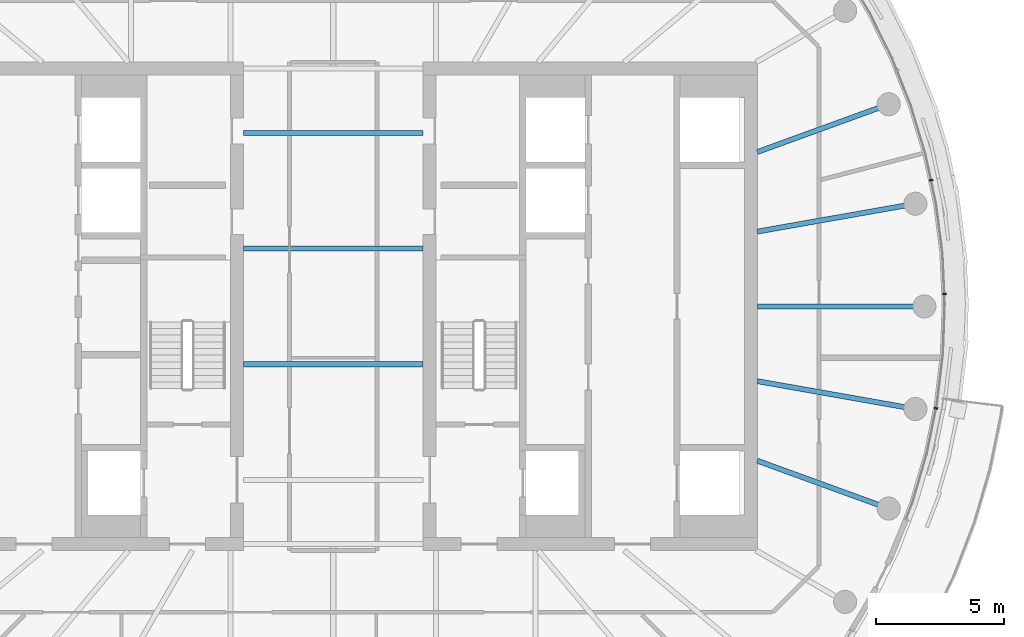
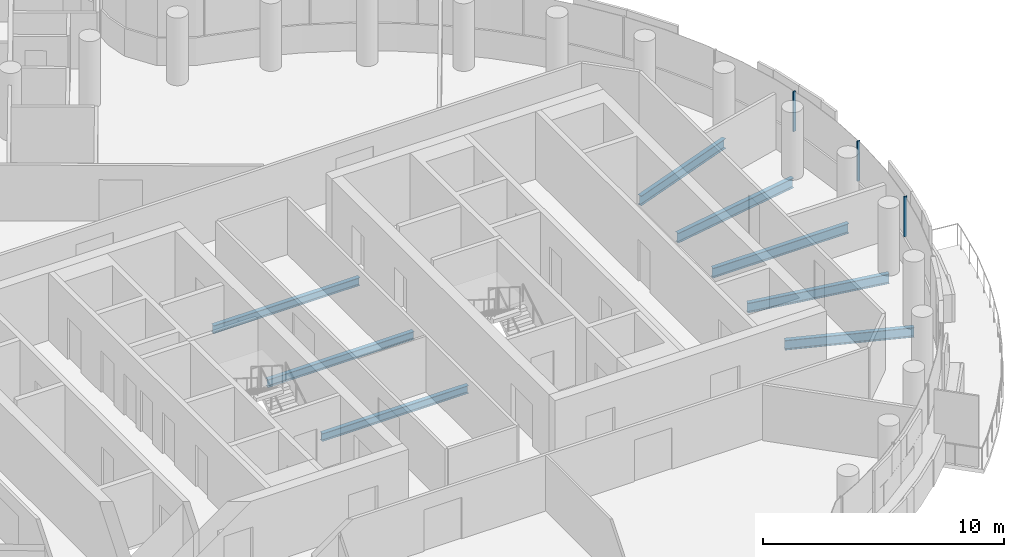
# One storey, part 8 of 26: 8 beams, 3 members, 1 element without a shape of its own.
"""IFC4 building model written with IfcOpenShell, lengths in metres."""

from ifc_helpers import new_model, si_unit, direction, frame, origin, origin_2d, place, context, subcontext, project, spatial, rectangle, i_section, extrude, material, layer, layer_set, material_profile, profile_set, type_object, element, aggregate, save


model = new_model("IFC4")

# Units and contexts
model_context = context("Model", 3, precision=1e-05, world=origin(), true_north=direction((0.0, 1.0)))
body_context = subcontext(model_context, "Body", "Model", "MODEL_VIEW")
ifc_project = project(units=[si_unit("LENGTHUNIT", "METRE"), si_unit("AREAUNIT", "SQUARE_METRE"), si_unit("VOLUMEUNIT", "CUBIC_METRE"), si_unit("PLANEANGLEUNIT", "RADIAN"), si_unit("MASSUNIT", "GRAM", prefix="KILO")], contexts=[model_context])

# Site, building, storey
site_placement = place(None, origin())
site = spatial("IfcSite", under=ifc_project, at=site_placement, CompositionType="ELEMENT")
building_placement = place(site_placement, origin())
building = spatial("IfcBuilding", under=site, at=building_placement, Name="Tamarind Cross Interchange Tower", CompositionType="ELEMENT")
storey_placement = place(building_placement, frame((0.0, 0.0, 248.699951171875)))
storey = spatial("IfcBuildingStorey", under=building, at=storey_placement, Name="L63", CompositionType="ELEMENT", Elevation=248.699951171875)

# Beams
ifc_material_1 = material(Name="Steel Q355B", Category="steel")
ifc_material_profile_1 = material_profile(ifc_material_1, i_section(OverallWidth=0.199951171875, OverallDepth=0.39990234375, WebThickness=0.008056640625, FlangeThickness=0.012939453125, FilletRadius=0.01611328125, at=origin_2d()), Name="HN 400x200x8x13")
ifc_profile_set_1 = profile_set([ifc_material_profile_1], Name="Steel Q355B")
beam_type_1 = type_object("IfcBeamType", Name="Composite beam HN 400x200x8x13 Q355B", PredefinedType="BEAM", material=ifc_profile_set_1)
for number, where, z_axis, x_axis, name in (
    (1, (-3.5, -2.25, -0.33984375), (1.0, 0.0, 0.0), (0.0, 1.0, 0.0), "Beam G-2.25"),
    (2, (-3.5, 2.25, -0.33984375), (1.0, 0.0, 0.0), (0.0, 1.0, 0.0), "Beam G2.25"),
    (3, (-3.5, 6.75, -0.33984375), (1.0, 0.0, 0.0), (0.0, 1.0, 0.0), "Beam G6.75"),
):
    element("IfcBeam", number, at=place(storey_placement, frame(where, z_axis=z_axis, x_axis=x_axis)), inside=storey, type_object=beam_type_1, Name=name, PredefinedType="BEAM", context=body_context, shape_type="SweptSolid", body=[
        extrude(i_section(OverallWidth=0.199951171875, OverallDepth=0.39990234375, WebThickness=0.008056640625, FlangeThickness=0.012939453125, FilletRadius=0.01611328125, at=origin_2d()), origin(), (0.0, 0.0, 1.0), 7.0),
    ])
ifc_material_profile_2 = material_profile(ifc_material_1, i_section(OverallWidth=0.198974609375, OverallDepth=0.49609375, WebThickness=0.009033203125, FlangeThickness=0.013916015625, FilletRadius=0.012939453125, at=origin_2d()), Name="HN 496x199x9x14")
ifc_profile_set_2 = profile_set([ifc_material_profile_2], Name="Steel Q355B")
beam_type_2 = type_object("IfcBeamType", Name="Composite beam HN 496x199x9x14 Q355B", PredefinedType="BEAM", material=ifc_profile_set_2)
beam_1_placement = place(storey_placement, frame((23.0, 0.0, -0.387939453125), z_axis=(-1.0, 0.0, 0.0), x_axis=(0.0, -1.0, 0.0)))
element("IfcBeam", 4, at=beam_1_placement, inside=storey, type_object=beam_type_2, Name="Beam HH00", PredefinedType="BEAM", context=body_context, shape_type="SweptSolid", body=[
    extrude(i_section(OverallWidth=0.198974609375, OverallDepth=0.49609375, WebThickness=0.009033203125, FlangeThickness=0.013916015625, FilletRadius=0.012939453125, at=origin_2d()), origin(), (0.0, 0.0, 1.0), 6.5),
])
beam_2_placement = place(storey_placement, frame((22.650634765625, 3.993896484375, -0.387939453125), z_axis=(-0.984809127561, -0.173640382036, 0.0), x_axis=(0.173640382036, -0.984809127561, 0.0)))
element("IfcBeam", 5, at=beam_2_placement, inside=storey, type_object=beam_type_2, Name="Beam HH01", PredefinedType="BEAM", context=body_context, shape_type="SweptSolid", body=[
    extrude(i_section(OverallWidth=0.198974609375, OverallDepth=0.49609375, WebThickness=0.009033203125, FlangeThickness=0.013916015625, FilletRadius=0.012939453125, at=origin_2d()), origin(), (0.0, 0.0, 1.0), 6.24560546875),
])
for number, where, z_axis, x_axis, name in (
    (6, (21.613037109375, 7.866455078125, -0.387939453125), (-0.939701685589, -0.341995236956, 0.0), (0.341995236956, -0.939701685589, 0.0), "Beam HH02"),
    (7, (21.613037109375, -7.866455078125, -0.387939453125), (-0.939701685589, 0.341995236956, 0.0), (-0.341995236956, -0.939701685589, 0.0), "Beam HH34"),
):
    element("IfcBeam", number, at=place(storey_placement, frame(where, z_axis=z_axis, x_axis=x_axis)), inside=storey, type_object=beam_type_2, Name=name, PredefinedType="BEAM", context=body_context, shape_type="SweptSolid", body=[
        extrude(i_section(OverallWidth=0.198974609375, OverallDepth=0.49609375, WebThickness=0.009033203125, FlangeThickness=0.013916015625, FilletRadius=0.012939453125, at=origin_2d()), origin(), (0.0, 0.0, 1.0), 5.441162109375),
    ])
beam_3_placement = place(storey_placement, frame((22.650634765625, -3.993896484375, -0.387939453125), z_axis=(-0.984809127561, 0.173640382036, 0.0), x_axis=(-0.173640382036, -0.984809127561, 0.0)))
element("IfcBeam", 8, at=beam_3_placement, inside=storey, type_object=beam_type_2, Name="Beam HH35", PredefinedType="BEAM", context=body_context, shape_type="SweptSolid", body=[
    extrude(i_section(OverallWidth=0.198974609375, OverallDepth=0.49609375, WebThickness=0.009033203125, FlangeThickness=0.013916015625, FilletRadius=0.012939453125, at=origin_2d()), origin(), (0.0, 0.0, 1.0), 6.24560546875),
])

# Curtain wall, members
ifc_material_2 = material(Name="Aluminium 6063-T6", Category="aluminium")
ifc_layer = layer(ifc_material_2, 0.139892578125)
ifc_layer_set = layer_set([ifc_layer], Name="Aluminium 6063-T6")
curtain_wall_type = type_object("IfcCurtainWallType", Name="Hotel curtain wall, 4.5 m bays", PredefinedType="NOTDEFINED", material=ifc_layer_set)
curtain_wall_placement = place(storey_placement, origin())
curtain_wall = element("IfcCurtainWall", 9, at=curtain_wall_placement, inside=storey, type_object=curtain_wall_type, Name="CWS-L63-01", PredefinedType="NOTDEFINED")
ifc_material_profile_3 = material_profile(ifc_material_2, rectangle(XDim=0.06005859375, YDim=0.139892578125, at=origin_2d()), Name="Mullion CW2")
ifc_profile_set_3 = profile_set([ifc_material_profile_3], Name="Aluminium 6063-T6")
member_type = type_object("IfcMemberType", Name="Mullion CW2", PredefinedType="MULLION", material=ifc_profile_set_3)
member_1_placement = place(storey_placement, frame((23.45703125, -3.9658203125, 1.400146484375), z_axis=(0.0, 0.0, 1.0), x_axis=(0.201001463943, 0.9795909409, 0.0)))
member_1 = element("IfcMember", 10, at=member_1_placement, type_object=member_type, Name="CWM-L63-01-13", PredefinedType="MULLION", context=body_context, shape_type="SweptSolid", body=[
    extrude(rectangle(XDim=0.06005859375, YDim=0.139892578125, at=origin_2d()), origin(), (0.0, 0.0, 1.0), 2.02001953125),
])
member_2_placement = place(storey_placement, frame((23.7783203125, 0.481689453125, 1.400146484375), z_axis=(0.0, 0.0, 1.0), x_axis=(-0.045624486728, 0.998958660912, 0.0)))
member_2 = element("IfcMember", 11, at=member_2_placement, type_object=member_type, Name="CWM-L63-01-14", PredefinedType="MULLION", context=body_context, shape_type="SweptSolid", body=[
    extrude(rectangle(XDim=0.06005859375, YDim=0.139892578125, at=origin_2d()), origin(), (0.0, 0.0, 1.0), 2.02001953125),
])
member_3_placement = place(storey_placement, frame((23.262939453125, 4.910888671875, 1.400146484375), z_axis=(0.0, 0.0, 1.0), x_axis=(-0.209425419705, 0.977824623121, 0.0)))
member_3 = element("IfcMember", 12, at=member_3_placement, type_object=member_type, Name="CWM-L63-01-15", PredefinedType="MULLION", context=body_context, shape_type="SweptSolid", body=[
    extrude(rectangle(XDim=0.06005859375, YDim=0.139892578125, at=origin_2d()), origin(), (0.0, 0.0, 1.0), 2.02001953125),
])
aggregate(curtain_wall, [member_1, member_2, member_3])

save(model, "model.ifc")
